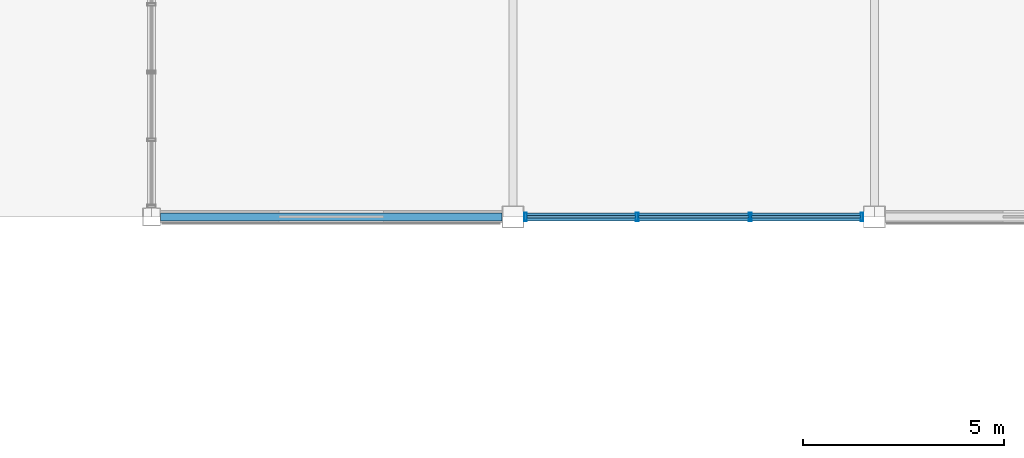
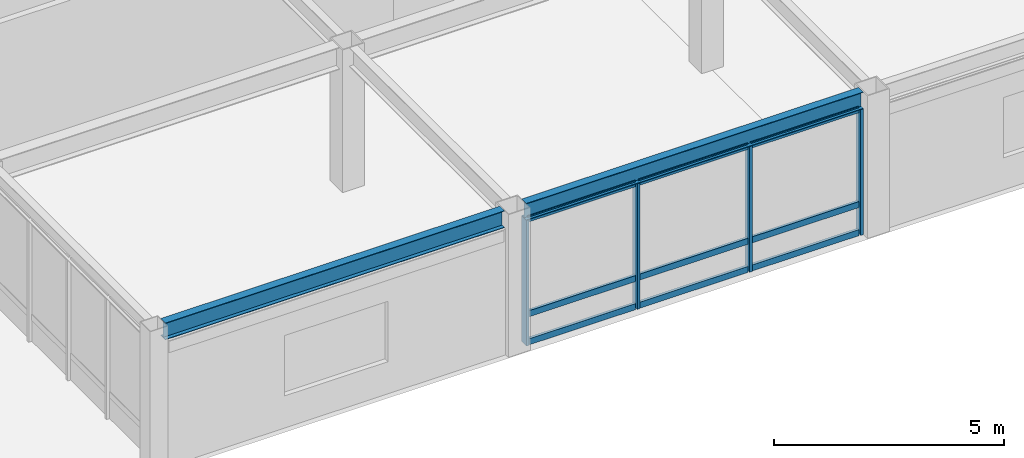
# One storey, part 26 of 113: 13 members, 2 beams, 1 element without a shape of its own.
"""IFC4 building model written with IfcOpenShell, lengths in metres."""

from ifc_helpers import new_model, si_unit, direction, frame, origin, origin_2d, place, context, subcontext, project, spatial, hollow_rectangle, i_section, extrude, material, material_profile, profile_set, type_object, element, aggregate, save


model = new_model("IFC4")

# Units and contexts
model_context = context("Model", 3, precision=1e-05, world=origin(), true_north=direction((0.0, 1.0)))
body_context = subcontext(model_context, "Body", "Model", "MODEL_VIEW")
ifc_project = project(units=[si_unit("LENGTHUNIT", "METRE"), si_unit("AREAUNIT", "SQUARE_METRE"), si_unit("VOLUMEUNIT", "CUBIC_METRE"), si_unit("PLANEANGLEUNIT", "RADIAN"), si_unit("MASSUNIT", "GRAM", prefix="KILO")], contexts=[model_context])

# Site, building, storey
site_placement = place(None, origin())
site = spatial("IfcSite", under=ifc_project, at=site_placement, CompositionType="ELEMENT")
building_placement = place(site_placement, origin())
building = spatial("IfcBuilding", under=site, at=building_placement, Name="Kazanami Central Library", CompositionType="ELEMENT")
storey_placement = place(building_placement, frame((0.0, 0.0, 8.800048828125)))
storey = spatial("IfcBuildingStorey", under=building, at=storey_placement, Name="L03", CompositionType="ELEMENT", Elevation=8.800048828125)

# Beams
ifc_material_1 = material(Name="Steel SN490B (325 MPa)", Category="steel")
ifc_material_profile_1 = material_profile(ifc_material_1, i_section(OverallWidth=0.199951171875, OverallDepth=0.449951171875, WebThickness=0.009033203125, FlangeThickness=0.013916015625, at=origin_2d()), Name="H-450x200x9x14")
ifc_profile_set_1 = profile_set([ifc_material_profile_1], Name="Steel SN490B (325 MPa)")
beam_type = type_object("IfcBeamType", Name="BM-SP-2", PredefinedType="SPANDREL", material=ifc_profile_set_1)
beam_1_placement = place(storey_placement, frame((45.222900390625, 21.60009765625, 3.554931640625), z_axis=(1.0, 0.0, 0.0), x_axis=(0.0, 1.0, 0.0)))
element("IfcBeam", 1, at=beam_1_placement, inside=storey, type_object=beam_type, Name="Girder SP-2 L03 D/6-7", PredefinedType="SPANDREL", context=body_context, shape_type="SweptSolid", body=[
    extrude(i_section(OverallWidth=0.199951171875, OverallDepth=0.449951171875, WebThickness=0.009033203125, FlangeThickness=0.013916015625, at=origin_2d()), origin(), (0.0, 0.0, 1.0), 8.504150390625),
])
beam_2_placement = place(storey_placement, frame((54.27294921875, 21.60009765625, 3.554931640625), z_axis=(1.0, 0.0, 0.0), x_axis=(0.0, 1.0, 0.0)))
element("IfcBeam", 2, at=beam_2_placement, inside=storey, type_object=beam_type, Name="Girder SP-2 L03 D/7-8", PredefinedType="SPANDREL", context=body_context, shape_type="SweptSolid", body=[
    extrude(i_section(OverallWidth=0.199951171875, OverallDepth=0.449951171875, WebThickness=0.009033203125, FlangeThickness=0.013916015625, at=origin_2d()), origin(), (0.0, 0.0, 1.0), 8.4541015625),
])

# Curtain wall, members
ifc_material_2 = material(Name="Acid-Etched Low-E Laminated Glass", Category="glass")
curtain_wall_type = type_object("IfcCurtainWallType", Name="CW-8450x3330-M275", PredefinedType="USERDEFINED", material=ifc_material_2)
curtain_wall_placement = place(storey_placement, origin())
curtain_wall = element("IfcCurtainWall", 3, at=curtain_wall_placement, inside=storey, type_object=curtain_wall_type, Name="Unitised Curtain Wall CW-25 L03 S-D-06", ObjectType="UNITISED CURTAIN WALL", PredefinedType="USERDEFINED")
ifc_material_3 = material(Name="Anodised Aluminium A6063-T5", Category="aluminium")
ifc_material_profile_2 = material_profile(ifc_material_3, hollow_rectangle(XDim=0.070068359375, YDim=0.2099609375, WallThickness=0.0048828125, at=origin_2d()), Name="ALU-MULL-70x210x5")
ifc_profile_set_2 = profile_set([ifc_material_profile_2], Name="Anodised Aluminium A6063-T5")
member_type_1 = type_object("IfcMemberType", Name="MEM-CW-M1", PredefinedType="MULLION", material=ifc_profile_set_2)
member_1_placement = place(storey_placement, frame((54.31005859375, 21.60009765625, 0.0), z_axis=(0.0, 0.0, 1.0), x_axis=(1.0, 0.0, 0.0)))
member_1 = element("IfcMember", 4, at=member_1_placement, type_object=member_type_1, Name="CW-25 mullion 1", PredefinedType="MULLION", context=body_context, shape_type="SweptSolid", body=[
    extrude(hollow_rectangle(XDim=0.070068359375, YDim=0.2099609375, WallThickness=0.0048828125, at=origin_2d()), origin(), (0.0, 0.0, 1.0), 3.329833984375),
])
member_2_placement = place(storey_placement, frame((57.091552734375, 21.60009765625, 0.0), z_axis=(0.0, 0.0, 1.0), x_axis=(1.0, 0.0, 0.0)))
member_2 = element("IfcMember", 5, at=member_2_placement, type_object=member_type_1, Name="CW-25 mullion 2", PredefinedType="MULLION", context=body_context, shape_type="SweptSolid", body=[
    extrude(hollow_rectangle(XDim=0.070068359375, YDim=0.2099609375, WallThickness=0.0048828125, at=origin_2d()), origin(), (0.0, 0.0, 1.0), 3.329833984375),
])
member_3_placement = place(storey_placement, frame((59.908447265625, 21.60009765625, 0.0), z_axis=(0.0, 0.0, 1.0), x_axis=(1.0, 0.0, 0.0)))
member_3 = element("IfcMember", 6, at=member_3_placement, type_object=member_type_1, Name="CW-25 mullion 3", PredefinedType="MULLION", context=body_context, shape_type="SweptSolid", body=[
    extrude(hollow_rectangle(XDim=0.070068359375, YDim=0.2099609375, WallThickness=0.0048828125, at=origin_2d()), origin(), (0.0, 0.0, 1.0), 3.329833984375),
])
member_4_placement = place(storey_placement, frame((62.68994140625, 21.60009765625, 0.0), z_axis=(0.0, 0.0, 1.0), x_axis=(1.0, 0.0, 0.0)))
member_4 = element("IfcMember", 7, at=member_4_placement, type_object=member_type_1, Name="CW-25 mullion 4", PredefinedType="MULLION", context=body_context, shape_type="SweptSolid", body=[
    extrude(hollow_rectangle(XDim=0.070068359375, YDim=0.2099609375, WallThickness=0.0048828125, at=origin_2d()), origin(), (0.0, 0.0, 1.0), 3.329833984375),
])
ifc_material_profile_3 = material_profile(ifc_material_3, hollow_rectangle(XDim=0.070068359375, YDim=0.159912109375, WallThickness=0.00390625, at=origin_2d()), Name="ALU-TRAN-70x160x4")
ifc_profile_set_3 = profile_set([ifc_material_profile_3], Name="Anodised Aluminium A6063-T5")
member_type_2 = type_object("IfcMemberType", Name="MEM-CW-T1", PredefinedType="USERDEFINED", material=ifc_profile_set_3)
member_5_placement = place(storey_placement, frame((54.344970703125, 21.60009765625, 0.034912109375), z_axis=(1.0, 0.0, 0.0), x_axis=(0.0, 1.0, 0.0)))
member_5 = element("IfcMember", 8, at=member_5_placement, type_object=member_type_2, Name="CW-25 transom 1.1", ObjectType="TRANSOM", PredefinedType="USERDEFINED", context=body_context, shape_type="SweptSolid", body=[
    extrude(hollow_rectangle(XDim=0.070068359375, YDim=0.159912109375, WallThickness=0.00390625, at=origin_2d()), origin(), (0.0, 0.0, 1.0), 2.711669921875),
])
member_6_placement = place(storey_placement, frame((54.344970703125, 21.60009765625, 0.780029296875), z_axis=(1.0, 0.0, 0.0), x_axis=(0.0, 1.0, 0.0)))
member_6 = element("IfcMember", 9, at=member_6_placement, type_object=member_type_2, Name="CW-25 transom 1.2", ObjectType="TRANSOM", PredefinedType="USERDEFINED", context=body_context, shape_type="SweptSolid", body=[
    extrude(hollow_rectangle(XDim=0.070068359375, YDim=0.159912109375, WallThickness=0.00390625, at=origin_2d()), origin(), (0.0, 0.0, 1.0), 2.711669921875),
])
member_7_placement = place(storey_placement, frame((54.344970703125, 21.60009765625, 3.294921875), z_axis=(1.0, 0.0, 0.0), x_axis=(0.0, 1.0, 0.0)))
member_7 = element("IfcMember", 10, at=member_7_placement, type_object=member_type_2, Name="CW-25 transom 1.3", ObjectType="TRANSOM", PredefinedType="USERDEFINED", context=body_context, shape_type="SweptSolid", body=[
    extrude(hollow_rectangle(XDim=0.070068359375, YDim=0.159912109375, WallThickness=0.00390625, at=origin_2d()), origin(), (0.0, 0.0, 1.0), 2.711669921875),
])
member_8_placement = place(storey_placement, frame((57.126708984375, 21.60009765625, 0.034912109375), z_axis=(1.0, 0.0, 0.0), x_axis=(0.0, 1.0, 0.0)))
member_8 = element("IfcMember", 11, at=member_8_placement, type_object=member_type_2, Name="CW-25 transom 2.1", ObjectType="TRANSOM", PredefinedType="USERDEFINED", context=body_context, shape_type="SweptSolid", body=[
    extrude(hollow_rectangle(XDim=0.070068359375, YDim=0.159912109375, WallThickness=0.00390625, at=origin_2d()), origin(), (0.0, 0.0, 1.0), 2.74658203125),
])
member_9_placement = place(storey_placement, frame((57.126708984375, 21.60009765625, 0.780029296875), z_axis=(1.0, 0.0, 0.0), x_axis=(0.0, 1.0, 0.0)))
member_9 = element("IfcMember", 12, at=member_9_placement, type_object=member_type_2, Name="CW-25 transom 2.2", ObjectType="TRANSOM", PredefinedType="USERDEFINED", context=body_context, shape_type="SweptSolid", body=[
    extrude(hollow_rectangle(XDim=0.070068359375, YDim=0.159912109375, WallThickness=0.00390625, at=origin_2d()), origin(), (0.0, 0.0, 1.0), 2.74658203125),
])
member_10_placement = place(storey_placement, frame((57.126708984375, 21.60009765625, 3.294921875), z_axis=(1.0, 0.0, 0.0), x_axis=(0.0, 1.0, 0.0)))
member_10 = element("IfcMember", 13, at=member_10_placement, type_object=member_type_2, Name="CW-25 transom 2.3", ObjectType="TRANSOM", PredefinedType="USERDEFINED", context=body_context, shape_type="SweptSolid", body=[
    extrude(hollow_rectangle(XDim=0.070068359375, YDim=0.159912109375, WallThickness=0.00390625, at=origin_2d()), origin(), (0.0, 0.0, 1.0), 2.74658203125),
])
member_11_placement = place(storey_placement, frame((59.943359375, 21.60009765625, 0.034912109375), z_axis=(1.0, 0.0, 0.0), x_axis=(0.0, 1.0, 0.0)))
member_11 = element("IfcMember", 14, at=member_11_placement, type_object=member_type_2, Name="CW-25 transom 3.1", ObjectType="TRANSOM", PredefinedType="USERDEFINED", context=body_context, shape_type="SweptSolid", body=[
    extrude(hollow_rectangle(XDim=0.070068359375, YDim=0.159912109375, WallThickness=0.00390625, at=origin_2d()), origin(), (0.0, 0.0, 1.0), 2.711669921875),
])
member_12_placement = place(storey_placement, frame((59.943359375, 21.60009765625, 0.780029296875), z_axis=(1.0, 0.0, 0.0), x_axis=(0.0, 1.0, 0.0)))
member_12 = element("IfcMember", 15, at=member_12_placement, type_object=member_type_2, Name="CW-25 transom 3.2", ObjectType="TRANSOM", PredefinedType="USERDEFINED", context=body_context, shape_type="SweptSolid", body=[
    extrude(hollow_rectangle(XDim=0.070068359375, YDim=0.159912109375, WallThickness=0.00390625, at=origin_2d()), origin(), (0.0, 0.0, 1.0), 2.711669921875),
])
member_13_placement = place(storey_placement, frame((59.943359375, 21.60009765625, 3.294921875), z_axis=(1.0, 0.0, 0.0), x_axis=(0.0, 1.0, 0.0)))
member_13 = element("IfcMember", 16, at=member_13_placement, type_object=member_type_2, Name="CW-25 transom 3.3", ObjectType="TRANSOM", PredefinedType="USERDEFINED", context=body_context, shape_type="SweptSolid", body=[
    extrude(hollow_rectangle(XDim=0.070068359375, YDim=0.159912109375, WallThickness=0.00390625, at=origin_2d()), origin(), (0.0, 0.0, 1.0), 2.711669921875),
])
aggregate(curtain_wall, [member_1, member_2, member_3, member_4, member_5, member_6, member_7, member_8, member_9, member_10, member_11, member_12, member_13])

save(model, "model.ifc")
